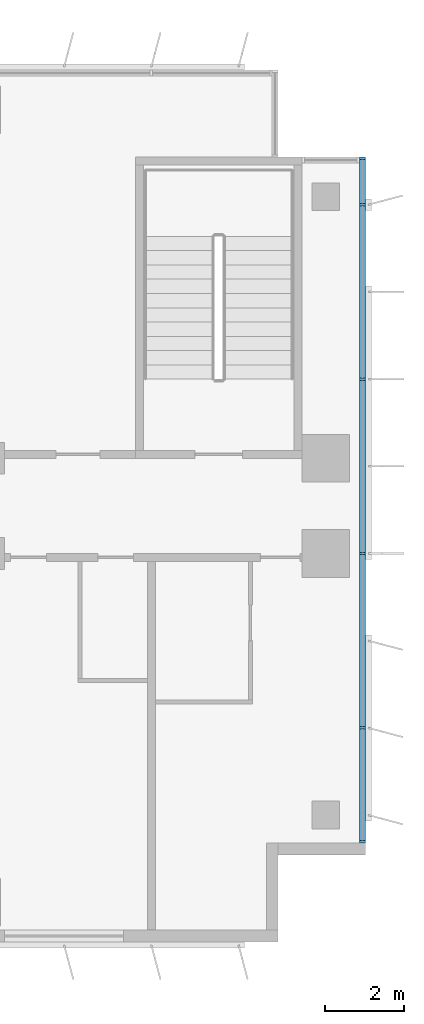
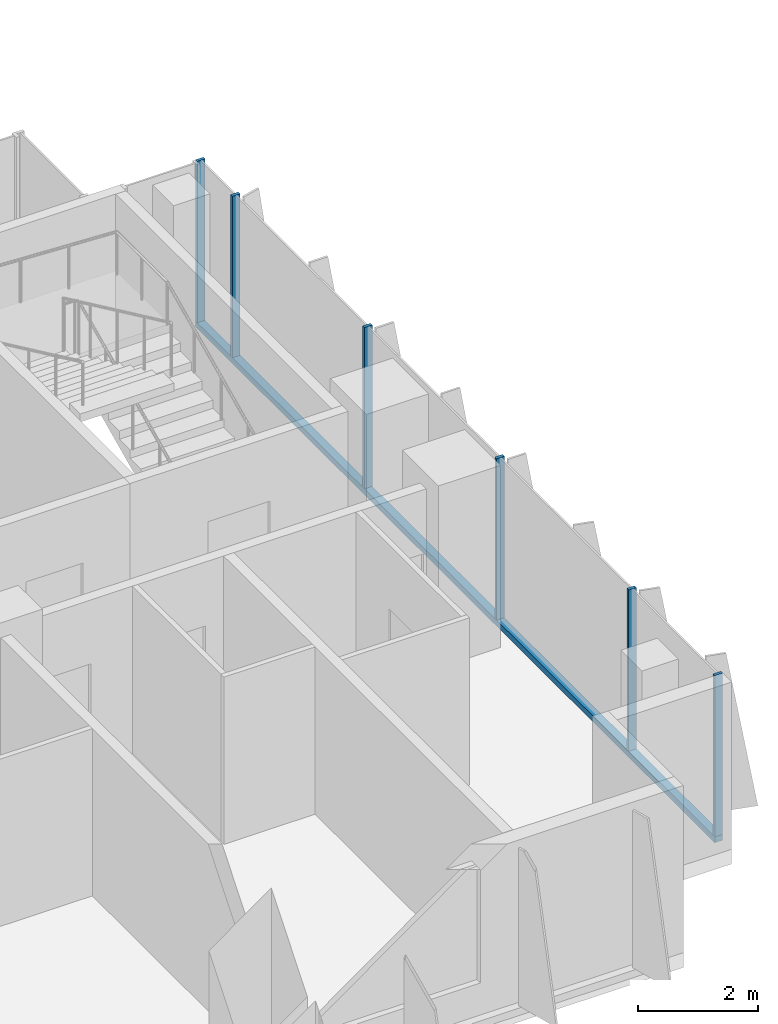
# One storey, part 8 of 23: 7 members, 1 element without a shape of its own.
"""IFC4 building model written with IfcOpenShell, lengths in metres."""

from ifc_helpers import new_model, si_unit, direction, frame, origin, origin_2d, place, context, subcontext, project, spatial, rectangle, extrude, source, transform, mapped, material, material_profile, profile_set, type_object, element, aggregate, save


model = new_model("IFC4")

# Units and contexts
model_context = context("Model", 3, precision=1e-05, world=origin(), true_north=direction((0.0, 1.0)))
body_context = subcontext(model_context, "Body", "Model", "MODEL_VIEW")
ifc_project = project(units=[si_unit("LENGTHUNIT", "METRE"), si_unit("AREAUNIT", "SQUARE_METRE"), si_unit("VOLUMEUNIT", "CUBIC_METRE"), si_unit("PLANEANGLEUNIT", "RADIAN"), si_unit("MASSUNIT", "GRAM", prefix="KILO")], contexts=[model_context])

# Site, building, storey
site_placement = place(None, origin())
site = spatial("IfcSite", under=ifc_project, at=site_placement, CompositionType="ELEMENT")
building_placement = place(site_placement, origin())
building = spatial("IfcBuilding", under=site, at=building_placement, Name="Kemantara Hotel Tower", CompositionType="ELEMENT")
storey_placement = place(building_placement, frame((0.0, 0.0, 114.800048828125)))
storey = spatial("IfcBuildingStorey", under=building, at=storey_placement, Name="L27", CompositionType="ELEMENT", Elevation=114.800048828125)

# Curtain wall, members
ifc_material_1 = material(Name="Low-E tinted double insulated glass 36 mm", Category="glass")
curtain_wall_type = type_object("IfcCurtainWallType", Name="TOWER CURTAIN WALL, FRONT FACES", PredefinedType="USERDEFINED", material=ifc_material_1)
curtain_wall_placement = place(storey_placement, origin())
curtain_wall = element("IfcCurtainWall", 1, at=curtain_wall_placement, inside=storey, type_object=curtain_wall_type, Name="CW4 L27 T2-R10-1", ObjectType="TOWER CURTAIN WALL, FRONT FACES", PredefinedType="USERDEFINED")
ifc_material_2 = material(Name="Aluminium 6063-T6 bronze anodised", Category="aluminium")
ifc_material_profile_1 = material_profile(ifc_material_2, rectangle(XDim=0.14990234375, YDim=0.1201171875, at=origin_2d()), Name="TOWER CURTAIN WALL, FRONT FACES TRANSOM")
ifc_profile_set_1 = profile_set([ifc_material_profile_1], Name="Aluminium 6063-T6 bronze anodised")
member_type_1 = type_object("IfcMemberType", Name="TOWER CURTAIN WALL, FRONT FACES TRANSOM", PredefinedType="USERDEFINED", material=ifc_profile_set_1)
member_1_placement = place(storey_placement, frame((63.52490234375, 2.5, 0.06005859375), z_axis=(0.0, 1.0, 0.0), x_axis=(-1.0, 0.0, 0.0)))
member_1 = element("IfcMember", 2, at=member_1_placement, type_object=member_type_1, Name="CW4 sill transom T2-R10-1", ObjectType="TRANSOM", PredefinedType="USERDEFINED", context=body_context, shape_type="SweptSolid", body=[
    extrude(rectangle(XDim=0.14990234375, YDim=0.1201171875, at=origin_2d()), origin(), (0.0, 0.0, 1.0), 17.300048828125),
])
ifc_material_profile_2 = material_profile(ifc_material_2, rectangle(XDim=0.14990234375, YDim=0.06005859375, at=origin_2d()), Name="TOWER CURTAIN WALL, FRONT FACES MULLION")
ifc_profile_set_2 = profile_set([ifc_material_profile_2], Name="Aluminium 6063-T6 bronze anodised")
member_type_2 = type_object("IfcMemberType", Name="TOWER CURTAIN WALL, FRONT FACES MULLION", PredefinedType="MULLION", material=ifc_profile_set_2)
shared_shape = source(origin(), body_context, "Body", "SweptSolid", [
    extrude(rectangle(XDim=0.14990234375, YDim=0.06005859375, at=origin_2d()), origin(), (0.0, 0.0, 1.0), 3.280029296875),
])
member_2_placement = place(storey_placement, frame((63.52490234375, 2.530029296875, 0.119873046875), z_axis=(0.0, 0.0, 1.0), x_axis=(-1.0, 0.0, 0.0)))
member_2 = element("IfcMember", 3, at=member_2_placement, type_object=member_type_2, Name="CW4 mullion T2-R10-1.1", PredefinedType="MULLION", context=body_context, shape_type="MappedRepresentation", body=[
    mapped(shared_shape, transform((0.0, 0.0, 0.0))),
])
member_3_placement = place(storey_placement, frame((63.52490234375, 5.39990234375, 0.119873046875), z_axis=(0.0, 0.0, 1.0), x_axis=(-1.0, 0.0, 0.0)))
member_3 = element("IfcMember", 4, at=member_3_placement, type_object=member_type_2, Name="CW4 mullion T2-R10-1.2", PredefinedType="MULLION", context=body_context, shape_type="MappedRepresentation", body=[
    mapped(shared_shape, transform((0.0, 0.0, 0.0))),
])
member_4_placement = place(storey_placement, frame((63.52490234375, 9.800048828125, 0.119873046875), z_axis=(0.0, 0.0, 1.0), x_axis=(-1.0, 0.0, 0.0)))
member_4 = element("IfcMember", 5, at=member_4_placement, type_object=member_type_2, Name="CW4 mullion T2-R10-1.3", PredefinedType="MULLION", context=body_context, shape_type="MappedRepresentation", body=[
    mapped(shared_shape, transform((0.0, 0.0, 0.0))),
])
member_5_placement = place(storey_placement, frame((63.52490234375, 14.199951171875, 0.119873046875), z_axis=(0.0, 0.0, 1.0), x_axis=(-1.0, 0.0, 0.0)))
member_5 = element("IfcMember", 6, at=member_5_placement, type_object=member_type_2, Name="CW4 mullion T2-R10-1.4", PredefinedType="MULLION", context=body_context, shape_type="MappedRepresentation", body=[
    mapped(shared_shape, transform((0.0, 0.0, 0.0))),
])
member_6_placement = place(storey_placement, frame((63.52490234375, 18.60009765625, 0.119873046875), z_axis=(0.0, 0.0, 1.0), x_axis=(-1.0, 0.0, 0.0)))
member_6 = element("IfcMember", 7, at=member_6_placement, type_object=member_type_2, Name="CW4 mullion T2-R10-1.5", PredefinedType="MULLION", context=body_context, shape_type="MappedRepresentation", body=[
    mapped(shared_shape, transform((0.0, 0.0, 0.0))),
])
member_7_placement = place(storey_placement, frame((63.52490234375, 19.77001953125, 0.119873046875), z_axis=(0.0, 0.0, 1.0), x_axis=(-1.0, 0.0, 0.0)))
member_7 = element("IfcMember", 8, at=member_7_placement, type_object=member_type_2, Name="CW4 mullion T2-R10-1.6", PredefinedType="MULLION", context=body_context, shape_type="MappedRepresentation", body=[
    mapped(shared_shape, transform((0.0, 0.0, 0.0))),
])
aggregate(curtain_wall, [member_1, member_2, member_3, member_4, member_5, member_6, member_7])

save(model, "model.ifc")
